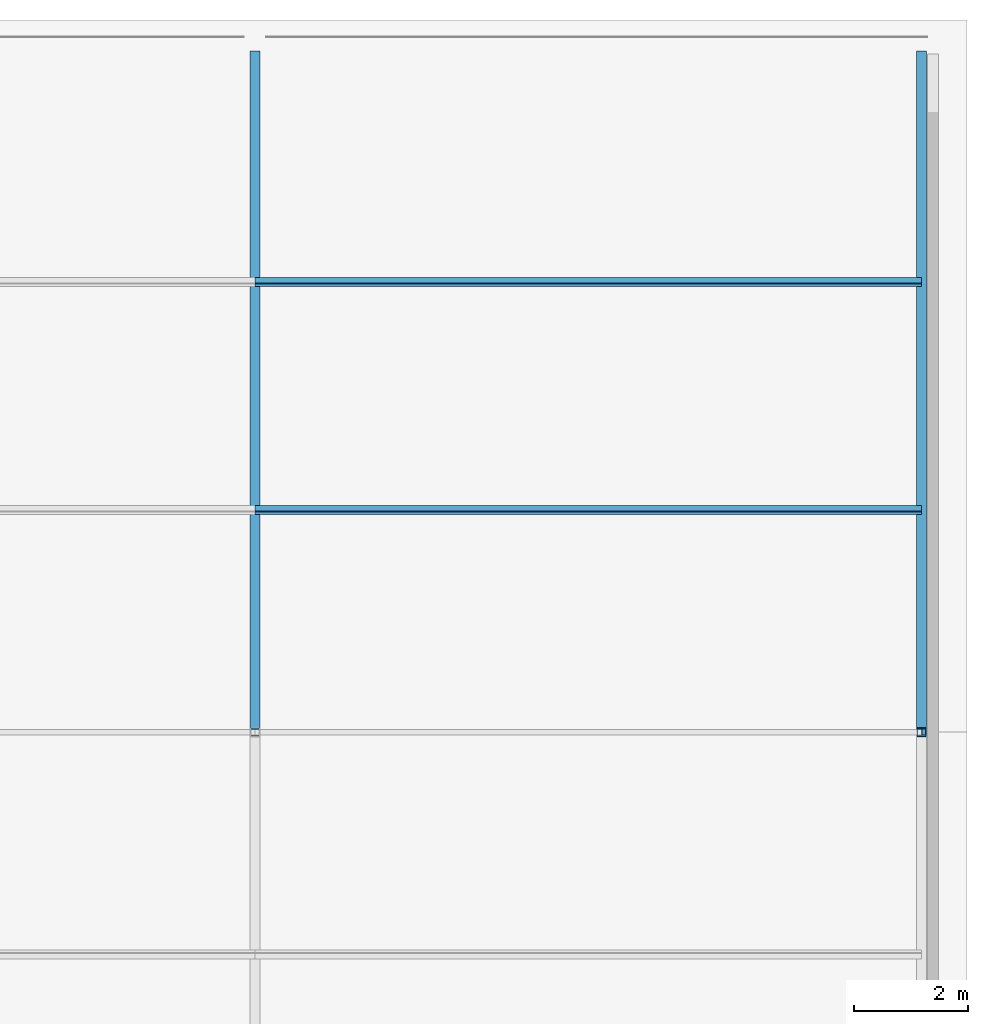
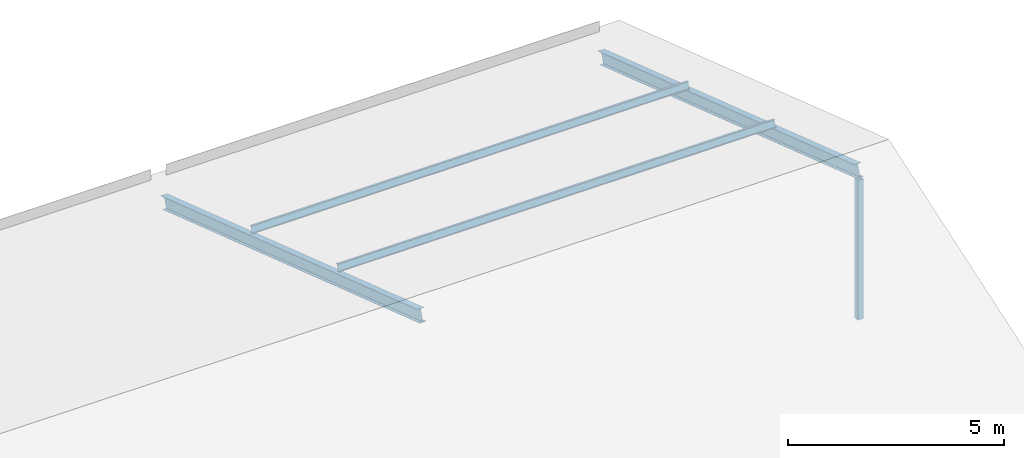
# One storey, part 10 of 12: 5 members.
"""IFC4 building model written with IfcOpenShell, lengths in metres."""

from ifc_helpers import new_model, si_unit, direction, frame, origin, origin_2d, place, context, subcontext, project, spatial, hollow_rectangle, i_section, extrude, material, material_profile, profile_set, type_object, element, save


model = new_model("IFC4")

# Units and contexts
model_context = context("Model", 3, precision=1e-05, world=origin(), true_north=direction((0.0, 1.0)))
body_context = subcontext(model_context, "Body", "Model", "MODEL_VIEW")
ifc_project = project(units=[si_unit("LENGTHUNIT", "METRE"), si_unit("AREAUNIT", "SQUARE_METRE"), si_unit("VOLUMEUNIT", "CUBIC_METRE"), si_unit("PLANEANGLEUNIT", "RADIAN"), si_unit("MASSUNIT", "GRAM", prefix="KILO")], contexts=[model_context])

# Site, building, storey
site_placement = place(None, origin())
site = spatial("IfcSite", under=ifc_project, at=site_placement, CompositionType="ELEMENT")
building_placement = place(site_placement, origin())
building = spatial("IfcBuilding", under=site, at=building_placement, Name="Lilac Gate Convention Centre", CompositionType="ELEMENT")
storey_placement = place(building_placement, frame((0.0, 0.0, 71.39990234375)))
storey = spatial("IfcBuildingStorey", under=building, at=storey_placement, Name="Roof", CompositionType="ELEMENT", Elevation=71.39990234375)

# Members
ifc_material = material(Name="Steel Q355B", Category="steel")
ifc_material_profile_1 = material_profile(ifc_material, hollow_rectangle(XDim=0.159912109375, YDim=0.159912109375, WallThickness=0.006103515625, InnerFilletRadius=0.006103515625, OuterFilletRadius=0.011962890625, at=origin_2d()), Name="SHS160x160x6")
ifc_profile_set_1 = profile_set([ifc_material_profile_1], Name="Steel Q355B")
member_type_1 = type_object("IfcMemberType", Name="Crown king post SHS160x160x6", PredefinedType="STRUT", material=ifc_profile_set_1)
member_placement = place(storey_placement, frame((89.699951171875, 234.0, 0.300048828125), z_axis=(0.0, 0.0, 1.0), x_axis=(1.0, 0.0, 0.0)))
element("IfcMember", 1, at=member_placement, inside=storey, type_object=member_type_1, Name="CK1 crown frame 5 king post", PredefinedType="STRUT", context=body_context, shape_type="SweptSolid", body=[
    extrude(hollow_rectangle(XDim=0.159912109375, YDim=0.159912109375, WallThickness=0.006103515625, InnerFilletRadius=0.006103515625, OuterFilletRadius=0.011962890625, at=origin_2d()), origin(), (0.0, 0.0, 1.0), 3.954345703125),
])
ifc_material_profile_2 = material_profile(ifc_material, i_section(OverallWidth=0.10009765625, OverallDepth=0.199951171875, WebThickness=0.005615234375, FlangeThickness=0.008056640625, FilletRadius=0.008056640625, at=origin_2d()), Name="HN200x100x5.5x8")
ifc_profile_set_2 = profile_set([ifc_material_profile_2], Name="Steel Q355B")
member_type_2 = type_object("IfcMemberType", Name="Crown purlin HN200x100x5.5x8", PredefinedType="PURLIN", material=ifc_profile_set_2)
for number, where, z_axis, x_axis, name in (
    (2, (78.0, 237.89990234375, 3.4453125), (1.0, 0.0, 0.0), (0.0, 0.947883747493, -0.318616385704), "CU1 crown purlin 4 bay 4"),
    (3, (78.0, 241.89990234375, 2.1005859375), (1.0, 0.0, 0.0), (0.0, 0.947883747493, -0.318616385704), "CU1 crown purlin 5 bay 4"),
):
    element("IfcMember", number, at=place(storey_placement, frame(where, z_axis=z_axis, x_axis=x_axis)), inside=storey, type_object=member_type_2, Name=name, PredefinedType="PURLIN", context=body_context, shape_type="SweptSolid", body=[
        extrude(i_section(OverallWidth=0.10009765625, OverallDepth=0.199951171875, WebThickness=0.005615234375, FlangeThickness=0.008056640625, FilletRadius=0.008056640625, at=origin_2d()), origin(), (0.0, 0.0, 1.0), 11.699951171875),
    ])
ifc_material_profile_3 = material_profile(ifc_material, i_section(OverallWidth=0.175048828125, OverallDepth=0.35009765625, WebThickness=0.007080078125, FlangeThickness=0.010986328125, FilletRadius=0.012939453125, at=origin_2d()), Name="HN350x175x7x11")
ifc_profile_set_3 = profile_set([ifc_material_profile_3], Name="Steel Q355B")
member_type_3 = type_object("IfcMemberType", Name="Crown rafter HN350x175x7x11", PredefinedType="RAFTER", material=ifc_profile_set_3)
for number, where, z_axis, x_axis, name in (
    (4, (78.0, 245.89990234375, 0.466064453125), (0.0, -0.947882957814, 0.318618734989), (1.0, 0.0, 0.0), "CR1 crown frame 4 rafter N"),
    (5, (89.699951171875, 245.89990234375, 0.466064453125), (0.0, -0.947882957814, 0.318618734989), (1.0, 0.0, 0.0), "CR1 crown frame 5 rafter N"),
):
    element("IfcMember", number, at=place(storey_placement, frame(where, z_axis=z_axis, x_axis=x_axis)), inside=storey, type_object=member_type_3, Name=name, PredefinedType="RAFTER", context=body_context, shape_type="SweptSolid", body=[
        extrude(i_section(OverallWidth=0.175048828125, OverallDepth=0.35009765625, WebThickness=0.007080078125, FlangeThickness=0.010986328125, FilletRadius=0.012939453125, at=origin_2d()), origin(), (0.0, 0.0, 1.0), 12.55419921875),
    ])

save(model, "model.ifc")
